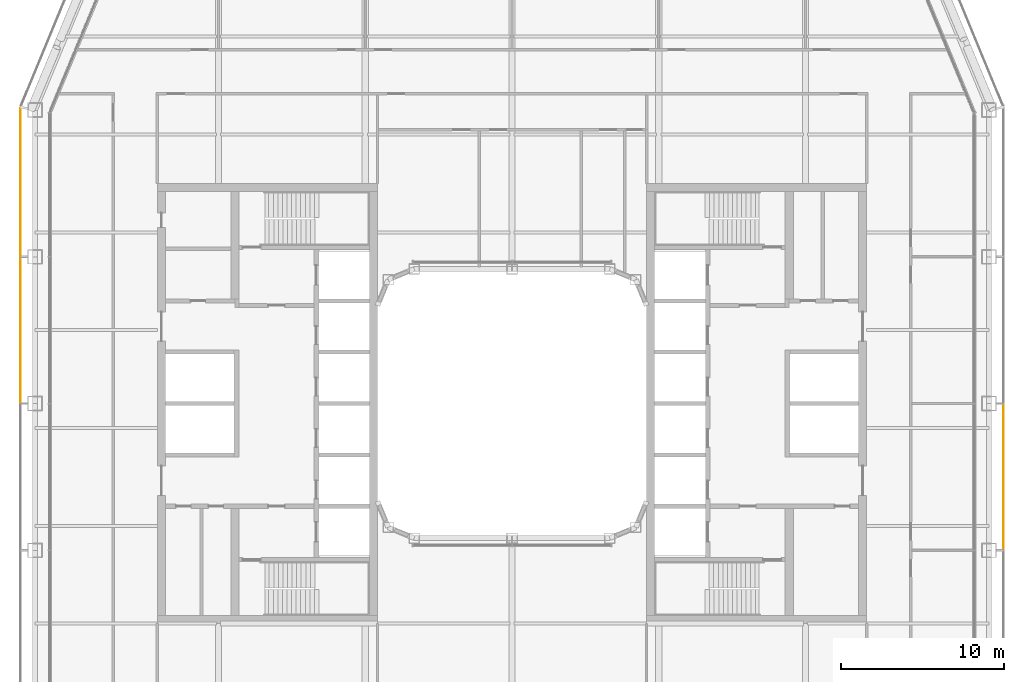
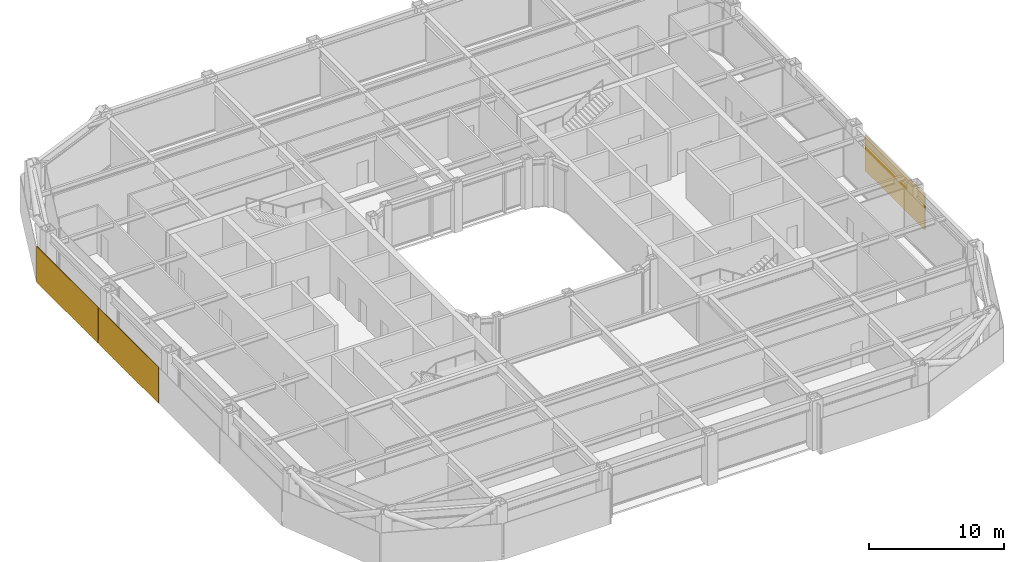
# One storey, part 19 of 21: 3 coverings.
"""IFC4 building model written with IfcOpenShell, lengths in metres."""

from ifc_helpers import new_model, si_unit, direction, frame, origin, origin_2d, place, context, subcontext, project, spatial, rectangle, extrude, material, layer, layer_set, type_object, element, save


model = new_model("IFC4")

# Units and contexts
model_context = context("Model", 3, precision=1e-05, world=origin(), true_north=direction((0.0, 1.0)))
body_context = subcontext(model_context, "Body", "Model", "MODEL_VIEW")
ifc_project = project(units=[si_unit("LENGTHUNIT", "METRE"), si_unit("AREAUNIT", "SQUARE_METRE"), si_unit("VOLUMEUNIT", "CUBIC_METRE"), si_unit("PLANEANGLEUNIT", "RADIAN"), si_unit("MASSUNIT", "GRAM", prefix="KILO")], contexts=[model_context])

# Site, building, storey
site_placement = place(None, origin())
site = spatial("IfcSite", under=ifc_project, at=site_placement, CompositionType="ELEMENT")
building_placement = place(site_placement, origin())
building = spatial("IfcBuilding", under=site, at=building_placement, Name="Siwar Civic Tower", CompositionType="ELEMENT")
storey_placement = place(building_placement, frame((0.0, 0.0, 176.699951171875)))
storey = spatial("IfcBuildingStorey", under=building, at=storey_placement, Name="L38", CompositionType="ELEMENT", Elevation=176.699951171875)

# Coverings
ifc_material_1 = material(Name="Perforated aluminium cassette, pale metal", Category="aluminium")
ifc_layer_1 = layer(ifc_material_1, 0.0400390625)
ifc_layer_set_1 = layer_set([ifc_layer_1], Name="Perforated aluminium cassette, pale metal")
covering_type_1 = type_object("IfcCoveringType", Name="ENV-OUTER SKIN OS-1", PredefinedType="CLADDING", material=ifc_layer_set_1)
covering_1_placement = place(storey_placement, frame((30.14990234375, -4.5, -0.14990234375), z_axis=(0.0, 0.0, 1.0), x_axis=(0.0, 1.0, 0.0)))
element("IfcCovering", 1, at=covering_1_placement, inside=storey, type_object=covering_type_1, Name="OUTER SKIN OS-1 E 2", PredefinedType="CLADDING", context=body_context, shape_type="SweptSolid", body=[
    extrude(rectangle(XDim=8.89990234375, YDim=0.0400390625, at=origin_2d()), origin(), (0.0, 0.0, 1.0), 3.25),
])
ifc_material_2 = material(Name="Perforated aluminium cassette, pale metal", Category="aluminium")
ifc_layer_2 = layer(ifc_material_2, 0.050048828125)
ifc_layer_set_2 = layer_set([ifc_layer_2], Name="Perforated aluminium cassette, pale metal")
covering_type_2 = type_object("IfcCoveringType", Name="ENV-OUTER SKIN OS-3", PredefinedType="CLADDING", material=ifc_layer_set_2)
covering_2_placement = place(storey_placement, frame((-30.14990234375, 13.57958984375, -0.14990234375), z_axis=(0.0, 0.0, 1.0), x_axis=(0.0, -1.0, 0.0)))
element("IfcCovering", 2, at=covering_2_placement, inside=storey, type_object=covering_type_2, Name="OUTER SKIN OS-3 W 1", PredefinedType="CLADDING", context=body_context, shape_type="SweptSolid", body=[
    extrude(rectangle(XDim=9.05908203125, YDim=0.050048828125, at=origin_2d()), origin(), (0.0, 0.0, 1.0), 3.25),
])
covering_3_placement = place(storey_placement, frame((-30.14990234375, 4.5, -0.14990234375), z_axis=(0.0, 0.0, 1.0), x_axis=(0.0, -1.0, 0.0)))
element("IfcCovering", 3, at=covering_3_placement, inside=storey, type_object=covering_type_2, Name="OUTER SKIN OS-3 W 2", PredefinedType="CLADDING", context=body_context, shape_type="SweptSolid", body=[
    extrude(rectangle(XDim=8.89990234375, YDim=0.050048828125, at=origin_2d()), origin(), (0.0, 0.0, 1.0), 3.25),
])

save(model, "model.ifc")
